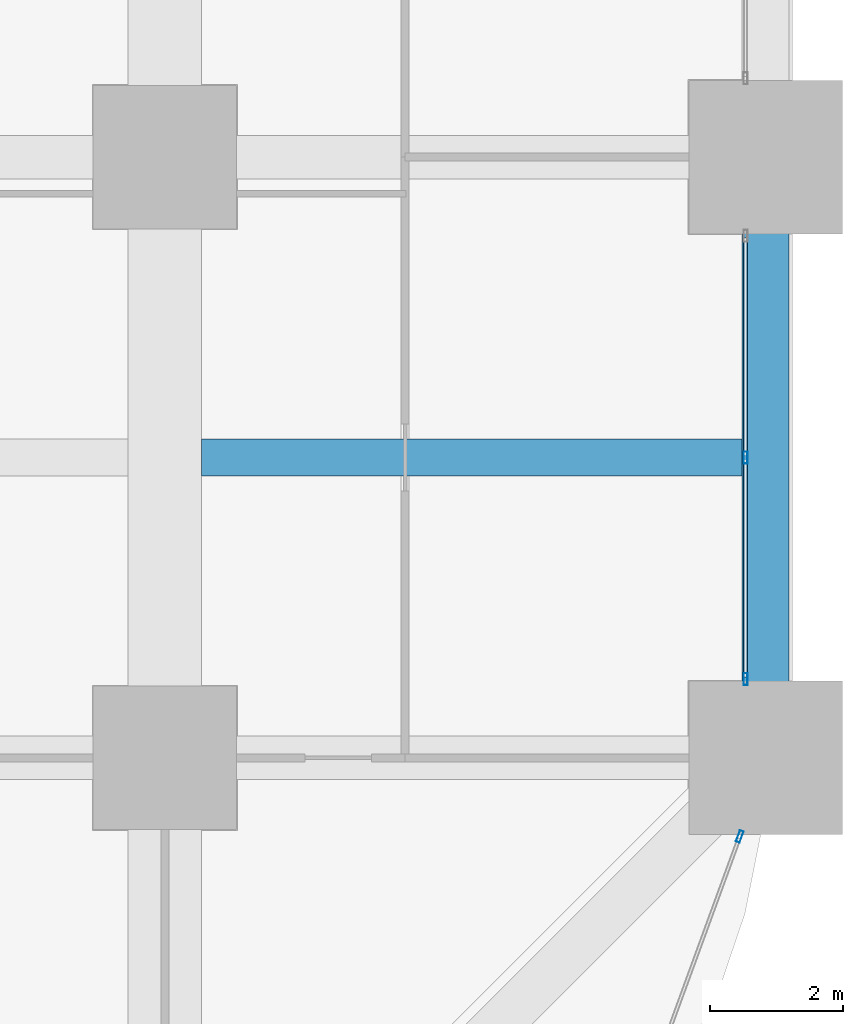
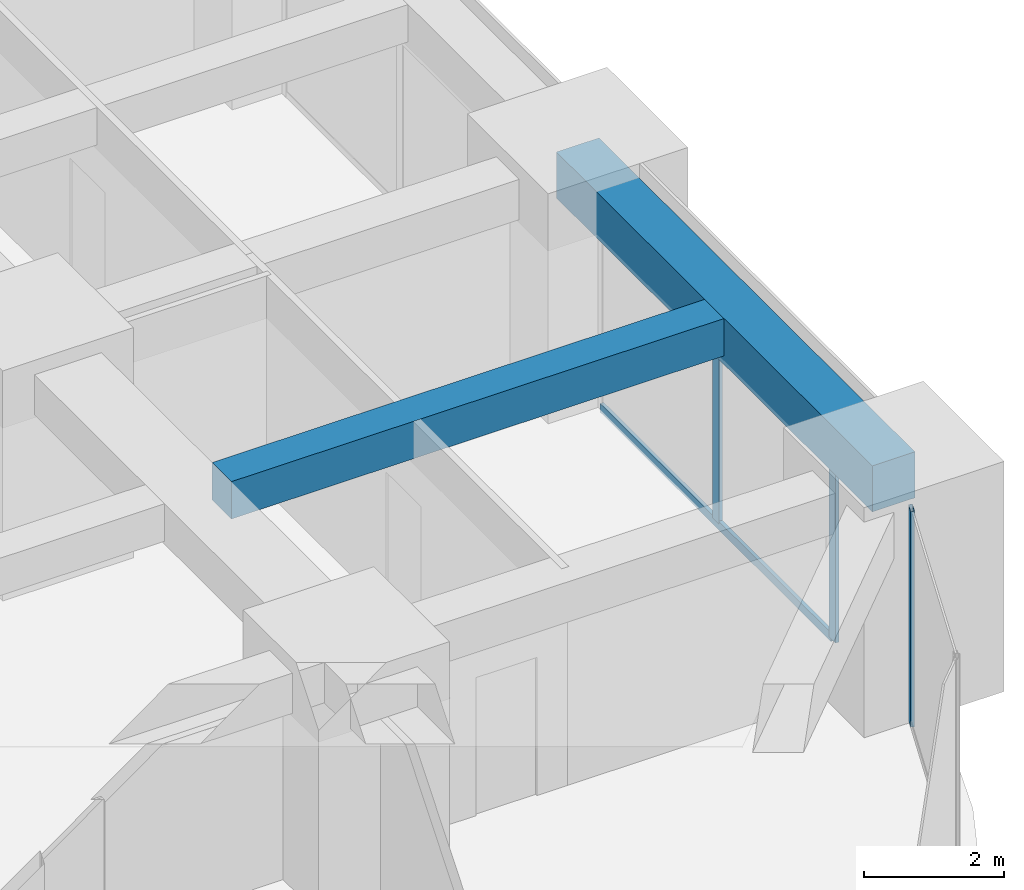
# One storey, part 18 of 44: 4 members, 2 beams, 2 elements without a shape of their own.
"""IFC4 building model written with IfcOpenShell, lengths in metres."""

from ifc_helpers import new_model, si_unit, direction, frame, origin, origin_2d, place, context, subcontext, project, spatial, rectangle, hollow_rectangle, extrude, material, material_profile, profile_set, type_object, element, aggregate, save


model = new_model("IFC4")

# Units and contexts
model_context = context("Model", 3, precision=1e-05, world=origin(), true_north=direction((0.0, 1.0)))
body_context = subcontext(model_context, "Body", "Model", "MODEL_VIEW")
ifc_project = project(units=[si_unit("LENGTHUNIT", "METRE"), si_unit("AREAUNIT", "SQUARE_METRE"), si_unit("VOLUMEUNIT", "CUBIC_METRE"), si_unit("PLANEANGLEUNIT", "RADIAN"), si_unit("MASSUNIT", "GRAM", prefix="KILO")], contexts=[model_context])

# Site, building, storey
site_placement = place(None, origin())
site = spatial("IfcSite", under=ifc_project, at=site_placement, CompositionType="ELEMENT")
building_placement = place(site_placement, origin())
building = spatial("IfcBuilding", under=site, at=building_placement, Name="Zorevar Civic Tower", CompositionType="ELEMENT")
storey_placement = place(building_placement, frame((0.0, 0.0, 55.800048828125)))
storey = spatial("IfcBuildingStorey", under=building, at=storey_placement, Name="L13", CompositionType="ELEMENT", Elevation=55.800048828125)

# Beam
ifc_material_1 = material(Name="Concrete C50/60", Category="concrete")
ifc_material_profile_1 = material_profile(ifc_material_1, rectangle(XDim=0.550048828125, YDim=0.64990234375, at=origin_2d()), Name="RC 550x650")
ifc_profile_set_1 = profile_set([ifc_material_profile_1], Name="Concrete C50/60")
beam_type_1 = type_object("IfcBeamType", Name="Beam RC 550x650", PredefinedType="BEAM", material=ifc_profile_set_1)
beam_1_placement = place(storey_placement, frame((54.550048828125, 13.5, 3.425048828125), z_axis=(1.0, 0.0, 0.0), x_axis=(0.0, 1.0, 0.0)))
element("IfcBeam", 1, at=beam_1_placement, inside=storey, type_object=beam_type_1, Name="Secondary beam L14", PredefinedType="BEAM", context=body_context, shape_type="SweptSolid", body=[
    extrude(rectangle(XDim=0.550048828125, YDim=0.64990234375, at=origin_2d()), origin(), (0.0, 0.0, 1.0), 8.099853515625),
])

# Curtain wall, members
ifc_material_2 = material(Name="Dark grey solar-control glass in black aluminium frame", Category="aluminium")
curtain_wall_type = type_object("IfcCurtainWallType", Name="Curtain wall CW2 low zone", PredefinedType="NOTDEFINED", material=ifc_material_2)
curtain_wall_1_placement = place(storey_placement, origin())
curtain_wall_1 = element("IfcCurtainWall", 2, at=curtain_wall_1_placement, inside=storey, type_object=curtain_wall_type, Name="CW2 L13", PredefinedType="NOTDEFINED")
ifc_material_3 = material(Name="Aluminium, black anodised", Category="aluminium")
ifc_material_profile_2 = material_profile(ifc_material_3, hollow_rectangle(XDim=0.06005859375, YDim=0.179931640625, WallThickness=0.00390625, at=origin_2d()), Name="AL 180x60x4")
ifc_profile_set_2 = profile_set([ifc_material_profile_2], Name="Aluminium, black anodised")
member_type_1 = type_object("IfcMemberType", Name="CW2 mullion AL 180x60x4", PredefinedType="MULLION", material=ifc_profile_set_2)
member_1_placement = place(storey_placement, frame((62.699951171875, 10.179931640625, 0.0), z_axis=(0.0, 0.0, 1.0), x_axis=(-1.0, 0.0, 0.0)))
member_1 = element("IfcMember", 3, at=member_1_placement, type_object=member_type_1, Name="CW2 mullion 1", PredefinedType="MULLION", context=body_context, shape_type="SweptSolid", body=[
    extrude(hollow_rectangle(XDim=0.06005859375, YDim=0.179931640625, WallThickness=0.00390625, at=origin_2d()), origin(), (0.0, 0.0, 1.0), 2.949951171875),
])
member_2_placement = place(storey_placement, frame((62.699951171875, 13.5, 0.06005859375), z_axis=(0.0, 0.0, 1.0), x_axis=(-1.0, 0.0, 0.0)))
member_2 = element("IfcMember", 4, at=member_2_placement, type_object=member_type_1, Name="CW2 mullion 2", PredefinedType="MULLION", context=body_context, shape_type="SweptSolid", body=[
    extrude(hollow_rectangle(XDim=0.06005859375, YDim=0.179931640625, WallThickness=0.00390625, at=origin_2d()), origin(), (0.0, 0.0, 1.0), 2.889892578125),
])

# Curtain wall, member
curtain_wall_2_placement = place(storey_placement, origin())
curtain_wall_2 = element("IfcCurtainWall", 5, at=curtain_wall_2_placement, inside=storey, type_object=curtain_wall_type, Name="CW2 L13", PredefinedType="NOTDEFINED")
member_3_placement = place(storey_placement, frame((62.61328125, 7.82177734375, 0.0), z_axis=(0.0, 0.0, 1.0), x_axis=(-0.939313345732, 0.343060400701, 0.0)))
member_3 = element("IfcMember", 6, at=member_3_placement, type_object=member_type_1, Name="CW2 mullion 2", PredefinedType="MULLION", context=body_context, shape_type="SweptSolid", body=[
    extrude(hollow_rectangle(XDim=0.06005859375, YDim=0.179931640625, WallThickness=0.00390625, at=origin_2d()), origin(), (0.0, 0.0, 1.0), 3.75),
])
aggregate(curtain_wall_2, [member_3])

# Member
ifc_material_4 = material(Name="Aluminium, black anodised", Category="aluminium")
ifc_material_profile_3 = material_profile(ifc_material_4, hollow_rectangle(XDim=0.06005859375, YDim=0.14990234375, WallThickness=0.00390625, at=origin_2d()), Name="AL 150x60x4")
ifc_profile_set_3 = profile_set([ifc_material_profile_3], Name="Aluminium, black anodised")
member_type_2 = type_object("IfcMemberType", Name="CW2 transom AL 150x60x4", PredefinedType="USERDEFINED", material=ifc_profile_set_3)
member_4_placement = place(storey_placement, frame((62.699951171875, 10.2099609375, 0.030029296875), z_axis=(0.0, 1.0, 0.0), x_axis=(-1.0, 0.0, 0.0)))
member_4 = element("IfcMember", 7, at=member_4_placement, type_object=member_type_2, Name="CW2 sill transom", ObjectType="TRANSOM", PredefinedType="USERDEFINED", context=body_context, shape_type="SweptSolid", body=[
    extrude(hollow_rectangle(XDim=0.06005859375, YDim=0.14990234375, WallThickness=0.00390625, at=origin_2d()), origin(), (0.0, 0.0, 1.0), 6.580078125),
])

aggregate(curtain_wall_1, [member_1, member_2, member_4])

# Beam
ifc_material_5 = material(Name="Concrete C50/60", Category="concrete")
ifc_material_profile_4 = material_profile(ifc_material_5, rectangle(XDim=0.699951171875, YDim=0.800048828125, at=origin_2d()), Name="RC 700x800")
ifc_profile_set_4 = profile_set([ifc_material_profile_4], Name="Concrete C50/60")
beam_type_2 = type_object("IfcBeamType", Name="Edge beam RC 700x800", PredefinedType="SPANDREL", material=ifc_profile_set_4)
beam_2_placement = place(storey_placement, frame((63.0, 9.0, 3.349853515625), z_axis=(0.0, 1.0, 0.0), x_axis=(-1.0, 0.0, 0.0)))
element("IfcBeam", 8, at=beam_2_placement, inside=storey, type_object=beam_type_2, Name="Edge beam L14", PredefinedType="SPANDREL", context=body_context, shape_type="SweptSolid", body=[
    extrude(rectangle(XDim=0.699951171875, YDim=0.800048828125, at=origin_2d()), origin(), (0.0, 0.0, 1.0), 9.0),
])

save(model, "model.ifc")
